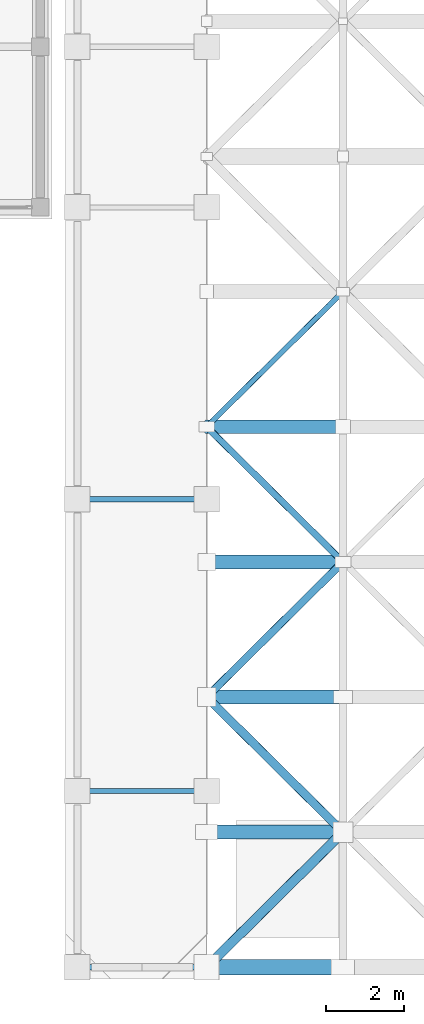
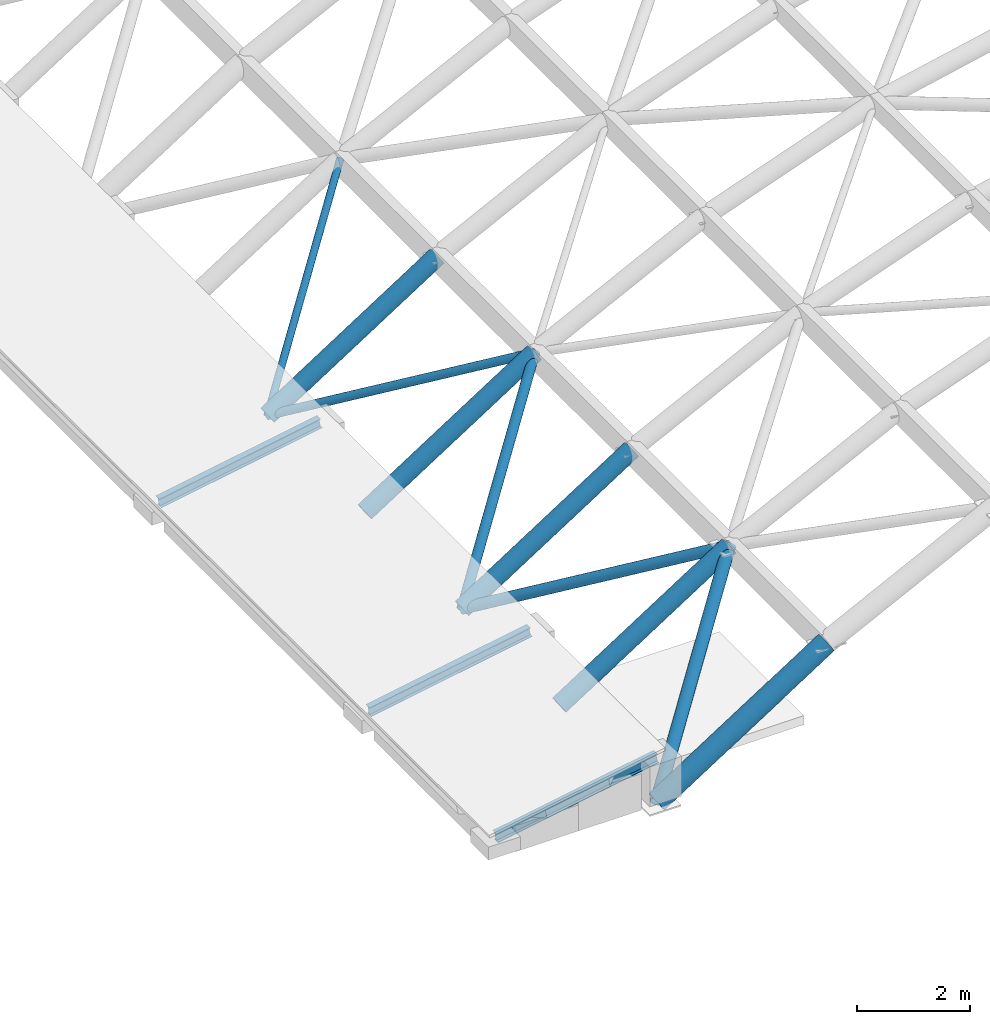
# One storey, part 11 of 52: 13 members.
"""IFC4 building model written with IfcOpenShell, lengths in metres."""

from ifc_helpers import new_model, si_unit, direction, frame, origin, origin_2d, place, context, subcontext, project, spatial, hollow_circle, i_section, extrude, material, material_profile, profile_set, type_object, element, save


model = new_model("IFC4")

# Units and contexts
model_context = context("Model", 3, precision=1e-05, world=origin(), true_north=direction((0.0, 1.0)))
body_context = subcontext(model_context, "Body", "Model", "MODEL_VIEW")
ifc_project = project(units=[si_unit("LENGTHUNIT", "METRE"), si_unit("AREAUNIT", "SQUARE_METRE"), si_unit("VOLUMEUNIT", "CUBIC_METRE"), si_unit("PLANEANGLEUNIT", "RADIAN"), si_unit("MASSUNIT", "GRAM", prefix="KILO")], contexts=[model_context])

# Site, building, storey
site_placement = place(None, origin())
site = spatial("IfcSite", under=ifc_project, at=site_placement, CompositionType="ELEMENT")
building_placement = place(site_placement, origin())
building = spatial("IfcBuilding", under=site, at=building_placement, Name="Candilejo Ridge Gondola Terminal", CompositionType="ELEMENT")
storey_placement = place(building_placement, frame((0.0, 0.0, 18.60009765625)))
storey = spatial("IfcBuildingStorey", under=building, at=storey_placement, Name="L04", CompositionType="ELEMENT", Elevation=18.60009765625)

# Members
ifc_material_1 = material(Name="Steel ASTM A500 Grade C", Category="steel")
ifc_material_profile_1 = material_profile(ifc_material_1, hollow_circle(Radius=0.06982421875, WallThickness=0.00634765625, at=origin_2d()))
ifc_profile_set_1 = profile_set([ifc_material_profile_1], Name="Steel ASTM A500 Grade C")
member_type_1 = type_object("IfcMemberType", Name="STR-BRC-CHS140", PredefinedType="BRACE", material=ifc_profile_set_1)
member_1_placement = place(storey_placement, frame((137.199951171875, 20.10009765625, -0.2001953125), z_axis=(0.646271368564, 0.640694591636, 0.414540418323), x_axis=(-0.704036083414, 0.710164201612, 0.0)))
element("IfcMember", 1, at=member_1_placement, inside=storey, type_object=member_type_1, Name="Barrel diagrid diagonal 05-01", PredefinedType="BRACE", context=body_context, shape_type="SweptSolid", body=[
    extrude(hollow_circle(Radius=0.06982421875, WallThickness=0.00634765625, at=origin_2d()), origin(), (0.0, 0.0, 1.0), 5.384765625),
])
ifc_material_2 = material(Name="Steel ASTM A500 Grade C", Category="steel")
ifc_material_profile_2 = material_profile(ifc_material_2, hollow_circle(Radius=0.084228515625, WallThickness=0.007080078125, at=origin_2d()))
ifc_profile_set_2 = profile_set([ifc_material_profile_2], Name="Steel ASTM A500 Grade C")
member_type_2 = type_object("IfcMemberType", Name="STR-BRC-CHS168", PredefinedType="BRACE", material=ifc_profile_set_2)
member_2_placement = place(storey_placement, frame((140.679931640625, 16.64990234375, 2.031982421875), z_axis=(-0.646252595266, 0.640721318668, -0.414528376492), x_axis=(-0.70406120903, -0.710139291927, 0.0)))
element("IfcMember", 2, at=member_2_placement, inside=storey, type_object=member_type_2, Name="Barrel diagrid diagonal 04-01", PredefinedType="BRACE", context=body_context, shape_type="SweptSolid", body=[
    extrude(hollow_circle(Radius=0.084228515625, WallThickness=0.007080078125, at=origin_2d()), origin(), (0.0, 0.0, 1.0), 5.384765625),
])
ifc_material_3 = material(Name="Steel ASTM A500 Grade C", Category="steel")
ifc_material_profile_3 = material_profile(ifc_material_3, hollow_circle(Radius=0.096923828125, WallThickness=0.0078125, at=origin_2d()))
ifc_profile_set_3 = profile_set([ifc_material_profile_3], Name="Steel ASTM A500 Grade C")
member_type_3 = type_object("IfcMemberType", Name="STR-BRC-CHS193", PredefinedType="BRACE", material=ifc_profile_set_3)
member_3_placement = place(storey_placement, frame((137.199951171875, 13.199951171875, -0.2001953125), z_axis=(0.646271368564, 0.640694591636, 0.414540418323), x_axis=(-0.704036083414, 0.710164201612, 0.0)))
element("IfcMember", 3, at=member_3_placement, inside=storey, type_object=member_type_3, Name="Barrel diagrid diagonal 03-01", PredefinedType="BRACE", context=body_context, shape_type="SweptSolid", body=[
    extrude(hollow_circle(Radius=0.096923828125, WallThickness=0.0078125, at=origin_2d()), origin(), (0.0, 0.0, 1.0), 5.384765625),
])
ifc_material_4 = material(Name="Steel ASTM A500 Grade C", Category="steel")
ifc_material_profile_4 = material_profile(ifc_material_4, hollow_circle(Radius=0.109619140625, WallThickness=0.00830078125, at=origin_2d()))
ifc_profile_set_4 = profile_set([ifc_material_profile_4], Name="Steel ASTM A500 Grade C")
member_type_4 = type_object("IfcMemberType", Name="STR-BRC-CHS219", PredefinedType="BRACE", material=ifc_profile_set_4)
member_4_placement = place(storey_placement, frame((140.679931640625, 9.75, 2.031982421875), z_axis=(-0.646271368564, 0.640694591636, -0.414540418323), x_axis=(-0.704036083414, -0.710164201612, 0.0)))
element("IfcMember", 4, at=member_4_placement, inside=storey, type_object=member_type_4, Name="Barrel diagrid diagonal 02-01", PredefinedType="BRACE", context=body_context, shape_type="SweptSolid", body=[
    extrude(hollow_circle(Radius=0.109619140625, WallThickness=0.00830078125, at=origin_2d()), origin(), (0.0, 0.0, 1.0), 5.384765625),
])
ifc_material_5 = material(Name="Steel ASTM A500 Grade C", Category="steel")
ifc_material_profile_5 = material_profile(ifc_material_5, hollow_circle(Radius=0.122314453125, WallThickness=0.0087890625, at=origin_2d()))
ifc_profile_set_5 = profile_set([ifc_material_profile_5], Name="Steel ASTM A500 Grade C")
member_type_5 = type_object("IfcMemberType", Name="STR-BRC-CHS244", PredefinedType="BRACE", material=ifc_profile_set_5)
member_5_placement = place(storey_placement, frame((137.199951171875, 6.300048828125, -0.2001953125), z_axis=(0.646271368564, 0.640694591636, 0.414540418323), x_axis=(-0.704036083414, 0.710164201612, 0.0)))
element("IfcMember", 5, at=member_5_placement, inside=storey, type_object=member_type_5, Name="Barrel diagrid diagonal 01-01", PredefinedType="BRACE", context=body_context, shape_type="SweptSolid", body=[
    extrude(hollow_circle(Radius=0.122314453125, WallThickness=0.0087890625, at=origin_2d()), origin(), (0.0, 0.0, 1.0), 5.384765625),
])
ifc_material_6 = material(Name="Steel ASTM A500 Grade C", Category="steel")
ifc_material_profile_6 = material_profile(ifc_material_6, hollow_circle(Radius=0.177734375, WallThickness=0.0126953125, at=origin_2d()))
ifc_profile_set_6 = profile_set([ifc_material_profile_6], Name="Steel ASTM A500 Grade C")
member_type_6 = type_object("IfcMemberType", Name="STR-RAF-CHS356", PredefinedType="RAFTER", material=ifc_profile_set_6)
for number, where, z_axis, x_axis, name in (
    (6, (137.199951171875, 9.75, -0.2001953125), (0.841722944164, 0.0, 0.539909701031), (0.0, 1.0, 0.0), "Barrel diagrid arch rafter F02-01"),
    (7, (137.199951171875, 13.199951171875, -0.2001953125), (0.841722944164, 0.0, 0.539909701031), (0.0, 1.0, 0.0), "Barrel diagrid arch rafter F03-01"),
    (8, (137.199951171875, 16.64990234375, -0.2001953125), (0.841722944164, 0.0, 0.539909701031), (0.0, 1.0, 0.0), "Barrel diagrid arch rafter F04-01"),
    (9, (137.199951171875, 20.10009765625, -0.2001953125), (0.841722944164, 0.0, 0.539909701031), (0.0, 1.0, 0.0), "Barrel diagrid arch rafter F05-01"),
):
    element("IfcMember", number, at=place(storey_placement, frame(where, z_axis=z_axis, x_axis=x_axis)), inside=storey, type_object=member_type_6, Name=name, PredefinedType="RAFTER", context=body_context, shape_type="SweptSolid", body=[
        extrude(hollow_circle(Radius=0.177734375, WallThickness=0.0126953125, at=origin_2d()), origin(), (0.0, 0.0, 1.0), 4.13427734375),
    ])
ifc_material_7 = material(Name="Steel ASTM A500 Grade C", Category="steel")
ifc_material_profile_7 = material_profile(ifc_material_7, hollow_circle(Radius=0.203125, WallThickness=0.0126953125, at=origin_2d()))
ifc_profile_set_7 = profile_set([ifc_material_profile_7], Name="Steel ASTM A500 Grade C")
member_type_7 = type_object("IfcMemberType", Name="STR-RAF-CHS406", PredefinedType="RAFTER", material=ifc_profile_set_7)
member_6_placement = place(storey_placement, frame((137.199951171875, 6.300048828125, -0.2001953125), z_axis=(0.841722944164, 0.0, 0.539909701031), x_axis=(0.0, 1.0, 0.0)))
element("IfcMember", 10, at=member_6_placement, inside=storey, type_object=member_type_7, Name="Barrel diagrid arch rafter F01-01", PredefinedType="RAFTER", context=body_context, shape_type="SweptSolid", body=[
    extrude(hollow_circle(Radius=0.203125, WallThickness=0.0126953125, at=origin_2d()), origin(), (0.0, 0.0, 1.0), 4.13427734375),
])
ifc_material_8 = material(Name="Steel ASTM A992 Grade 50", Category="steel")
ifc_material_profile_8 = material_profile(ifc_material_8, i_section(OverallWidth=0.133056640625, OverallDepth=0.20703125, WebThickness=0.005859375, FlangeThickness=0.00830078125, at=origin_2d()))
ifc_profile_set_8 = profile_set([ifc_material_profile_8], Name="Steel ASTM A992 Grade 50")
member_type_8 = type_object("IfcMemberType", Name="STR-RAF-W200", PredefinedType="RAFTER", material=ifc_profile_set_8)
for number, where, z_axis, x_axis, name in (
    (11, (133.89990234375, 6.300048828125, 0.201416015625), (0.984800423621, 0.0, 0.173689739581), (0.0, 1.0, 0.0), "Shed roof rafter RF-V4-WEST-01"),
    (12, (133.89990234375, 10.800048828125, 0.201416015625), (0.984800423621, 0.0, 0.173689739581), (0.0, 1.0, 0.0), "Shed roof rafter RF-V4-WEST-02"),
    (13, (133.89990234375, 18.25, 0.201416015625), (0.984800423621, 0.0, 0.173689739581), (0.0, 1.0, 0.0), "Shed roof rafter RF-V4-WEST-03"),
):
    element("IfcMember", number, at=place(storey_placement, frame(where, z_axis=z_axis, x_axis=x_axis)), inside=storey, type_object=member_type_8, Name=name, PredefinedType="RAFTER", context=body_context, shape_type="SweptSolid", body=[
        extrude(i_section(OverallWidth=0.133056640625, OverallDepth=0.20703125, WebThickness=0.005859375, FlangeThickness=0.00830078125, at=origin_2d()), origin(), (0.0, 0.0, 1.0), 3.35107421875),
    ])

save(model, "model.ifc")
